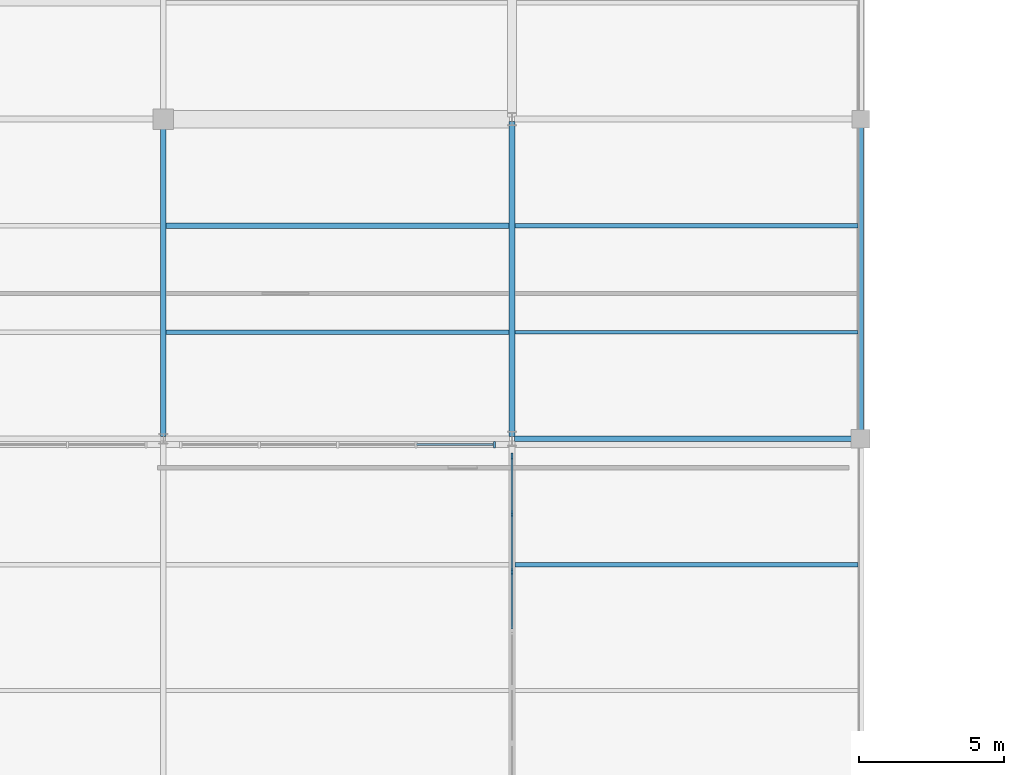
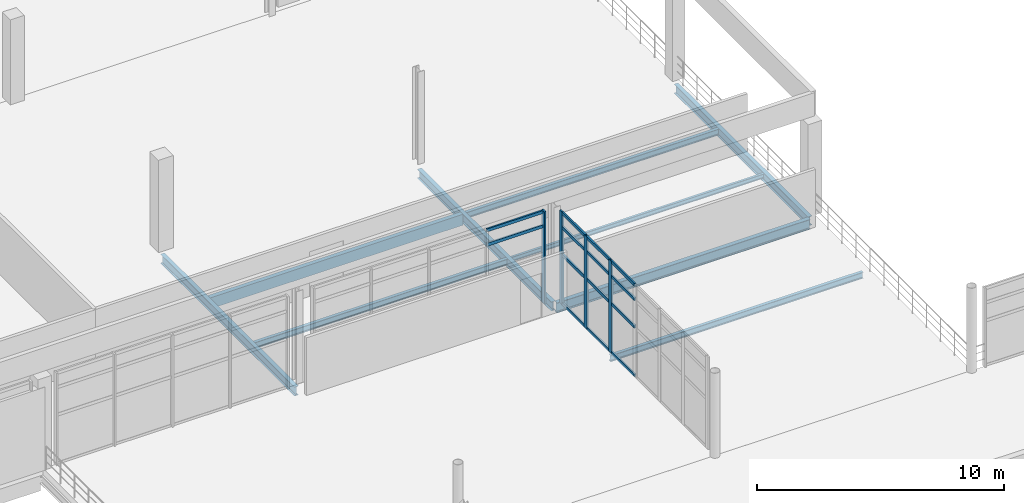
# One storey, part 39 of 89: 18 members, 9 beams, 2 elements without a shape of their own.
"""IFC4 building model written with IfcOpenShell, lengths in metres."""

from ifc_helpers import new_model, si_unit, direction, frame, origin, origin_2d, place, context, subcontext, project, spatial, rectangle, i_section, extrude, material, material_profile, profile_set, type_object, element, aggregate, save


model = new_model("IFC4")

# Units and contexts
model_context = context("Model", 3, precision=1e-05, world=origin(), true_north=direction((0.0, 1.0)))
body_context = subcontext(model_context, "Body", "Model", "MODEL_VIEW")
ifc_project = project(units=[si_unit("LENGTHUNIT", "METRE"), si_unit("AREAUNIT", "SQUARE_METRE"), si_unit("VOLUMEUNIT", "CUBIC_METRE"), si_unit("PLANEANGLEUNIT", "RADIAN"), si_unit("MASSUNIT", "GRAM", prefix="KILO"), si_unit("THERMODYNAMICTEMPERATUREUNIT", "KELVIN"), si_unit("POWERUNIT", "WATT")], contexts=[model_context])

# Site, building, storey
site_placement = place(None, origin())
site = spatial("IfcSite", under=ifc_project, at=site_placement, CompositionType="ELEMENT")
building_placement = place(site_placement, origin())
building = spatial("IfcBuilding", under=site, at=building_placement, Name="Solmara Park Aquatics Centre", CompositionType="ELEMENT")
storey_placement = place(building_placement, frame((0.0, 0.0, 5.39990234375)))
storey = spatial("IfcBuildingStorey", under=building, at=storey_placement, Name="L01", CompositionType="ELEMENT", Elevation=5.39990234375)

# Curtain wall, members
ifc_material_1 = material(Name="Anodised Aluminium Curtain Wall Framing", Category="aluminium")
curtain_wall_type = type_object("IfcCurtainWallType", Name="ARC-CW-SYS05", PredefinedType="USERDEFINED", material=ifc_material_1)
curtain_wall_1_placement = place(storey_placement, origin())
curtain_wall_1 = element("IfcCurtainWall", 1, at=curtain_wall_1_placement, inside=storey, type_object=curtain_wall_type, Name="Curtain Wall CW-102", ObjectType="CURTAIN WALL", PredefinedType="USERDEFINED")
ifc_material_2 = material(Name="Anodised Aluminium Alloy 6063-T6", Category="aluminium")
ifc_material_profile_1 = material_profile(ifc_material_2, rectangle(XDim=0.074951171875, YDim=0.219970703125, at=origin_2d()), Name="ALU MULLION 75x220")
ifc_profile_set_1 = profile_set([ifc_material_profile_1], Name="Anodised Aluminium Alloy 6063-T6")
member_type_1 = type_object("IfcMemberType", Name="ARC-CWM-75x220", PredefinedType="MULLION", material=ifc_profile_set_1)
member_1_placement = place(storey_placement, frame((48.60009765625, 81.026611328125, 0.0), z_axis=(0.0, 0.0, 1.0), x_axis=(1.0, 0.0, 0.0)))
member_1 = element("IfcMember", 2, at=member_1_placement, type_object=member_type_1, Name="CW-102 mullion 2", PredefinedType="MULLION", context=body_context, shape_type="SweptSolid", body=[
    extrude(rectangle(XDim=0.074951171875, YDim=0.219970703125, at=origin_2d()), origin(), (0.0, 0.0, 1.0), 4.56005859375),
])
member_2_placement = place(storey_placement, frame((48.60009765625, 83.01318359375, 0.0), z_axis=(0.0, 0.0, 1.0), x_axis=(1.0, 0.0, 0.0)))
member_2 = element("IfcMember", 3, at=member_2_placement, type_object=member_type_1, Name="CW-102 mullion 3", PredefinedType="MULLION", context=body_context, shape_type="SweptSolid", body=[
    extrude(rectangle(XDim=0.074951171875, YDim=0.219970703125, at=origin_2d()), origin(), (0.0, 0.0, 1.0), 4.56005859375),
])
member_3_placement = place(storey_placement, frame((48.60009765625, 85.0, 0.0), z_axis=(0.0, 0.0, 1.0), x_axis=(1.0, 0.0, 0.0)))
member_3 = element("IfcMember", 4, at=member_3_placement, type_object=member_type_1, Name="CW-102 mullion 4", PredefinedType="MULLION", context=body_context, shape_type="SweptSolid", body=[
    extrude(rectangle(XDim=0.074951171875, YDim=0.219970703125, at=origin_2d()), origin(), (0.0, 0.0, 1.0), 4.56005859375),
])

# Curtain wall, member
curtain_wall_2_placement = place(storey_placement, origin())
curtain_wall_2 = element("IfcCurtainWall", 5, at=curtain_wall_2_placement, inside=storey, type_object=curtain_wall_type, Name="Curtain Wall CW-106", ObjectType="CURTAIN WALL", PredefinedType="USERDEFINED")
member_4_placement = place(storey_placement, frame((48.0, 85.39990234375, 0.0), z_axis=(0.0, 0.0, 1.0), x_axis=(1.0, 0.0, 0.0)))
member_4 = element("IfcMember", 6, at=member_4_placement, type_object=member_type_1, Name="CW-106 mullion 5", PredefinedType="MULLION", context=body_context, shape_type="SweptSolid", body=[
    extrude(rectangle(XDim=0.074951171875, YDim=0.219970703125, at=origin_2d()), origin(), (0.0, 0.0, 1.0), 4.56005859375),
])

# Member
ifc_material_profile_2 = material_profile(ifc_material_2, rectangle(XDim=0.074951171875, YDim=0.14990234375, at=origin_2d()), Name="ALU TRANSOM 75x150")
ifc_profile_set_2 = profile_set([ifc_material_profile_2], Name="Anodised Aluminium Alloy 6063-T6")
member_type_2 = type_object("IfcMemberType", Name="ARC-CWT-75x150", PredefinedType="USERDEFINED", material=ifc_profile_set_2)
member_5_placement = place(storey_placement, frame((48.60009765625, 79.06005859375, 0.0400390625), z_axis=(0.0, 1.0, 0.0), x_axis=(-1.0, 0.0, 0.0)))
member_5 = element("IfcMember", 7, at=member_5_placement, type_object=member_type_2, Name="CW-102 transom 1", ObjectType="TRANSOM", PredefinedType="USERDEFINED", context=body_context, shape_type="SweptSolid", body=[
    extrude(rectangle(XDim=0.074951171875, YDim=0.14990234375, at=origin_2d()), origin(), (0.0, 0.0, 1.0), 1.90673828125),
])

member_6_placement = place(storey_placement, frame((48.60009765625, 79.06005859375, 2.4501953125), z_axis=(0.0, 1.0, 0.0), x_axis=(-1.0, 0.0, 0.0)))
member_6 = element("IfcMember", 8, at=member_6_placement, type_object=member_type_2, Name="CW-102 transom 2", ObjectType="TRANSOM", PredefinedType="USERDEFINED", context=body_context, shape_type="SweptSolid", body=[
    extrude(rectangle(XDim=0.074951171875, YDim=0.14990234375, at=origin_2d()), origin(), (0.0, 0.0, 1.0), 1.90673828125),
])

member_7_placement = place(storey_placement, frame((48.60009765625, 79.06005859375, 3.81005859375), z_axis=(0.0, 1.0, 0.0), x_axis=(-1.0, 0.0, 0.0)))
member_7 = element("IfcMember", 9, at=member_7_placement, type_object=member_type_2, Name="CW-102 transom 3", ObjectType="TRANSOM", PredefinedType="USERDEFINED", context=body_context, shape_type="SweptSolid", body=[
    extrude(rectangle(XDim=0.074951171875, YDim=0.14990234375, at=origin_2d()), origin(), (0.0, 0.0, 1.0), 1.90673828125),
])

member_8_placement = place(storey_placement, frame((48.60009765625, 79.06005859375, 4.52001953125), z_axis=(0.0, 1.0, 0.0), x_axis=(-1.0, 0.0, 0.0)))
member_8 = element("IfcMember", 10, at=member_8_placement, type_object=member_type_2, Name="CW-102 transom 4", ObjectType="TRANSOM", PredefinedType="USERDEFINED", context=body_context, shape_type="SweptSolid", body=[
    extrude(rectangle(XDim=0.074951171875, YDim=0.14990234375, at=origin_2d()), origin(), (0.0, 0.0, 1.0), 1.90673828125),
])

member_9_placement = place(storey_placement, frame((48.60009765625, 81.046630859375, 0.0400390625), z_axis=(0.0, 1.0, 0.0), x_axis=(-1.0, 0.0, 0.0)))
member_9 = element("IfcMember", 11, at=member_9_placement, type_object=member_type_2, Name="CW-102 transom 5", ObjectType="TRANSOM", PredefinedType="USERDEFINED", context=body_context, shape_type="SweptSolid", body=[
    extrude(rectangle(XDim=0.074951171875, YDim=0.14990234375, at=origin_2d()), origin(), (0.0, 0.0, 1.0), 1.90673828125),
])

member_10_placement = place(storey_placement, frame((48.60009765625, 81.046630859375, 2.4501953125), z_axis=(0.0, 1.0, 0.0), x_axis=(-1.0, 0.0, 0.0)))
member_10 = element("IfcMember", 12, at=member_10_placement, type_object=member_type_2, Name="CW-102 transom 6", ObjectType="TRANSOM", PredefinedType="USERDEFINED", context=body_context, shape_type="SweptSolid", body=[
    extrude(rectangle(XDim=0.074951171875, YDim=0.14990234375, at=origin_2d()), origin(), (0.0, 0.0, 1.0), 1.90673828125),
])

member_11_placement = place(storey_placement, frame((48.60009765625, 81.046630859375, 3.81005859375), z_axis=(0.0, 1.0, 0.0), x_axis=(-1.0, 0.0, 0.0)))
member_11 = element("IfcMember", 13, at=member_11_placement, type_object=member_type_2, Name="CW-102 transom 7", ObjectType="TRANSOM", PredefinedType="USERDEFINED", context=body_context, shape_type="SweptSolid", body=[
    extrude(rectangle(XDim=0.074951171875, YDim=0.14990234375, at=origin_2d()), origin(), (0.0, 0.0, 1.0), 1.90673828125),
])

member_12_placement = place(storey_placement, frame((48.60009765625, 81.046630859375, 4.52001953125), z_axis=(0.0, 1.0, 0.0), x_axis=(-1.0, 0.0, 0.0)))
member_12 = element("IfcMember", 14, at=member_12_placement, type_object=member_type_2, Name="CW-102 transom 8", ObjectType="TRANSOM", PredefinedType="USERDEFINED", context=body_context, shape_type="SweptSolid", body=[
    extrude(rectangle(XDim=0.074951171875, YDim=0.14990234375, at=origin_2d()), origin(), (0.0, 0.0, 1.0), 1.90673828125),
])

member_13_placement = place(storey_placement, frame((48.60009765625, 83.033203125, 0.0400390625), z_axis=(0.0, 1.0, 0.0), x_axis=(-1.0, 0.0, 0.0)))
member_13 = element("IfcMember", 15, at=member_13_placement, type_object=member_type_2, Name="CW-102 transom 9", ObjectType="TRANSOM", PredefinedType="USERDEFINED", context=body_context, shape_type="SweptSolid", body=[
    extrude(rectangle(XDim=0.074951171875, YDim=0.14990234375, at=origin_2d()), origin(), (0.0, 0.0, 1.0), 1.90673828125),
])

member_14_placement = place(storey_placement, frame((48.60009765625, 83.033203125, 2.4501953125), z_axis=(0.0, 1.0, 0.0), x_axis=(-1.0, 0.0, 0.0)))
member_14 = element("IfcMember", 16, at=member_14_placement, type_object=member_type_2, Name="CW-102 transom 10", ObjectType="TRANSOM", PredefinedType="USERDEFINED", context=body_context, shape_type="SweptSolid", body=[
    extrude(rectangle(XDim=0.074951171875, YDim=0.14990234375, at=origin_2d()), origin(), (0.0, 0.0, 1.0), 1.90673828125),
])

member_15_placement = place(storey_placement, frame((48.60009765625, 83.033203125, 3.81005859375), z_axis=(0.0, 1.0, 0.0), x_axis=(-1.0, 0.0, 0.0)))
member_15 = element("IfcMember", 17, at=member_15_placement, type_object=member_type_2, Name="CW-102 transom 11", ObjectType="TRANSOM", PredefinedType="USERDEFINED", context=body_context, shape_type="SweptSolid", body=[
    extrude(rectangle(XDim=0.074951171875, YDim=0.14990234375, at=origin_2d()), origin(), (0.0, 0.0, 1.0), 1.90673828125),
])

member_16_placement = place(storey_placement, frame((48.60009765625, 83.033203125, 4.52001953125), z_axis=(0.0, 1.0, 0.0), x_axis=(-1.0, 0.0, 0.0)))
member_16 = element("IfcMember", 18, at=member_16_placement, type_object=member_type_2, Name="CW-102 transom 12", ObjectType="TRANSOM", PredefinedType="USERDEFINED", context=body_context, shape_type="SweptSolid", body=[
    extrude(rectangle(XDim=0.074951171875, YDim=0.14990234375, at=origin_2d()), origin(), (0.0, 0.0, 1.0), 1.90673828125),
])

aggregate(curtain_wall_1, [member_1, member_2, member_3, member_5, member_6, member_7, member_8, member_9, member_10, member_11, member_12, member_13, member_14, member_15, member_16])

member_17_placement = place(storey_placement, frame((45.320068359375, 85.39990234375, 3.81005859375), z_axis=(1.0, 0.0, 0.0), x_axis=(0.0, 1.0, 0.0)))
member_17 = element("IfcMember", 19, at=member_17_placement, type_object=member_type_2, Name="CW-106 transom 15", ObjectType="TRANSOM", PredefinedType="USERDEFINED", context=body_context, shape_type="SweptSolid", body=[
    extrude(rectangle(XDim=0.074951171875, YDim=0.14990234375, at=origin_2d()), origin(), (0.0, 0.0, 1.0), 2.619873046875),
])

member_18_placement = place(storey_placement, frame((45.320068359375, 85.39990234375, 4.52001953125), z_axis=(1.0, 0.0, 0.0), x_axis=(0.0, 1.0, 0.0)))
member_18 = element("IfcMember", 20, at=member_18_placement, type_object=member_type_2, Name="CW-106 transom 16", ObjectType="TRANSOM", PredefinedType="USERDEFINED", context=body_context, shape_type="SweptSolid", body=[
    extrude(rectangle(XDim=0.074951171875, YDim=0.14990234375, at=origin_2d()), origin(), (0.0, 0.0, 1.0), 2.619873046875),
])

aggregate(curtain_wall_2, [member_4, member_17, member_18])

# Beams
ifc_material_3 = material(Name="Structural Steel S355", Category="steel")
ifc_material_profile_3 = material_profile(ifc_material_3, i_section(OverallWidth=0.18994140625, OverallDepth=0.449951171875, WebThickness=0.009521484375, FlangeThickness=0.0146484375, FilletRadius=0.02099609375, at=origin_2d()), Name="IPE 450")
ifc_profile_set_3 = profile_set([ifc_material_profile_3], Name="Structural Steel S355")
beam_type_1 = type_object("IfcBeamType", Name="STR-BM-IPE450", PredefinedType="BEAM", material=ifc_profile_set_3)
for number, where, z_axis, x_axis, name in (
    (21, (36.60009765625, 85.679931640625, -0.544921875), (0.0, 1.0, 0.0), (-1.0, 0.0, 0.0), "Girder BM-L01-0283"),
    (22, (48.60009765625, 85.679931640625, -0.544921875), (0.0, 1.0, 0.0), (-1.0, 0.0, 0.0), "Girder BM-L01-0286"),
    (23, (60.60009765625, 85.679931640625, -0.544921875), (0.0, 1.0, 0.0), (-1.0, 0.0, 0.0), "Girder BM-L01-0289"),
):
    element("IfcBeam", number, at=place(storey_placement, frame(where, z_axis=z_axis, x_axis=x_axis)), inside=storey, type_object=beam_type_1, Name=name, PredefinedType="BEAM", context=body_context, shape_type="SweptSolid", body=[
        extrude(i_section(OverallWidth=0.18994140625, OverallDepth=0.449951171875, WebThickness=0.009521484375, FlangeThickness=0.0146484375, FilletRadius=0.02099609375, at=origin_2d()), origin(), (0.0, 0.0, 1.0), 10.840087890625),
    ])
ifc_material_profile_4 = material_profile(ifc_material_3, i_section(OverallWidth=0.199951171875, OverallDepth=0.5, WebThickness=0.01025390625, FlangeThickness=0.01611328125, FilletRadius=0.02099609375, at=origin_2d()), Name="IPE 500")
ifc_profile_set_4 = profile_set([ifc_material_profile_4], Name="Structural Steel S355")
beam_type_2 = type_object("IfcBeamType", Name="STR-BM-IPE500", PredefinedType="BEAM", material=ifc_profile_set_4)
beam_1_placement = place(storey_placement, frame((48.679931640625, 85.60009765625, -0.56982421875), z_axis=(1.0, 0.0, 0.0), x_axis=(0.0, 1.0, 0.0)))
element("IfcBeam", 24, at=beam_1_placement, inside=storey, type_object=beam_type_2, Name="Girder BM-L01-0267", PredefinedType="BEAM", context=body_context, shape_type="SweptSolid", body=[
    extrude(i_section(OverallWidth=0.199951171875, OverallDepth=0.5, WebThickness=0.01025390625, FlangeThickness=0.01611328125, FilletRadius=0.02099609375, at=origin_2d()), origin(), (0.0, 0.0, 1.0), 11.840087890625),
])
ifc_material_4 = material(Name="Glulam Timber GL28h", Category="wood")
ifc_material_profile_5 = material_profile(ifc_material_4, rectangle(XDim=0.199951171875, YDim=0.5400390625, at=origin_2d()), Name="GL28h 200x540")
ifc_profile_set_5 = profile_set([ifc_material_profile_5], Name="Glulam Timber GL28h")
beam_type_3 = type_object("IfcBeamType", Name="STR-JST-GL200x540", PredefinedType="JOIST", material=ifc_profile_set_5)
beam_2_placement = place(storey_placement, frame((36.695068359375, 92.933349609375, -0.58984375), z_axis=(1.0, 0.0, 0.0), x_axis=(0.0, 1.0, 0.0)))
element("IfcBeam", 25, at=beam_2_placement, inside=storey, type_object=beam_type_3, Name="Floor Joist JST-L01-0174", PredefinedType="JOIST", context=body_context, shape_type="SweptSolid", body=[
    extrude(rectangle(XDim=0.199951171875, YDim=0.5400390625, at=origin_2d()), origin(), (0.0, 0.0, 1.0), 11.809814453125),
])
ifc_material_profile_6 = material_profile(ifc_material_3, i_section(OverallWidth=0.110107421875, OverallDepth=0.219970703125, WebThickness=0.005859375, FlangeThickness=0.00927734375, FilletRadius=0.011962890625, at=origin_2d()), Name="IPE 220")
ifc_profile_set_6 = profile_set([ifc_material_profile_6], Name="Structural Steel S355")
beam_type_4 = type_object("IfcBeamType", Name="STR-JST-IPE220", PredefinedType="JOIST", material=ifc_profile_set_6)
beam_3_placement = place(storey_placement, frame((48.695068359375, 89.2666015625, -0.429931640625), z_axis=(1.0, 0.0, 0.0), x_axis=(0.0, 1.0, 0.0)))
element("IfcBeam", 26, at=beam_3_placement, inside=storey, type_object=beam_type_4, Name="Floor Joist JST-L01-0179", PredefinedType="JOIST", context=body_context, shape_type="SweptSolid", body=[
    extrude(i_section(OverallWidth=0.110107421875, OverallDepth=0.219970703125, WebThickness=0.005859375, FlangeThickness=0.00927734375, FilletRadius=0.011962890625, at=origin_2d()), origin(), (0.0, 0.0, 1.0), 11.809814453125),
])
ifc_material_profile_7 = material_profile(ifc_material_3, i_section(OverallWidth=0.14990234375, OverallDepth=0.300048828125, WebThickness=0.007080078125, FlangeThickness=0.0107421875, FilletRadius=0.014892578125, at=origin_2d()), Name="IPE 300")
ifc_profile_set_7 = profile_set([ifc_material_profile_7], Name="Structural Steel S355")
beam_type_5 = type_object("IfcBeamType", Name="STR-JST-IPE300", PredefinedType="JOIST", material=ifc_profile_set_7)
for number, where, z_axis, x_axis, name in (
    (27, (36.695068359375, 89.2666015625, -0.469970703125), (1.0, 0.0, 0.0), (0.0, 1.0, 0.0), "Floor Joist JST-L01-0173"),
    (28, (48.695068359375, 81.2666015625, -0.469970703125), (1.0, 0.0, 0.0), (0.0, 1.0, 0.0), "Floor Joist JST-L01-0178"),
    (29, (48.695068359375, 92.933349609375, -0.469970703125), (1.0, 0.0, 0.0), (0.0, 1.0, 0.0), "Floor Joist JST-L01-0180"),
):
    element("IfcBeam", number, at=place(storey_placement, frame(where, z_axis=z_axis, x_axis=x_axis)), inside=storey, type_object=beam_type_5, Name=name, PredefinedType="JOIST", context=body_context, shape_type="SweptSolid", body=[
        extrude(i_section(OverallWidth=0.14990234375, OverallDepth=0.300048828125, WebThickness=0.007080078125, FlangeThickness=0.0107421875, FilletRadius=0.014892578125, at=origin_2d()), origin(), (0.0, 0.0, 1.0), 11.809814453125),
    ])

save(model, "model.ifc")
